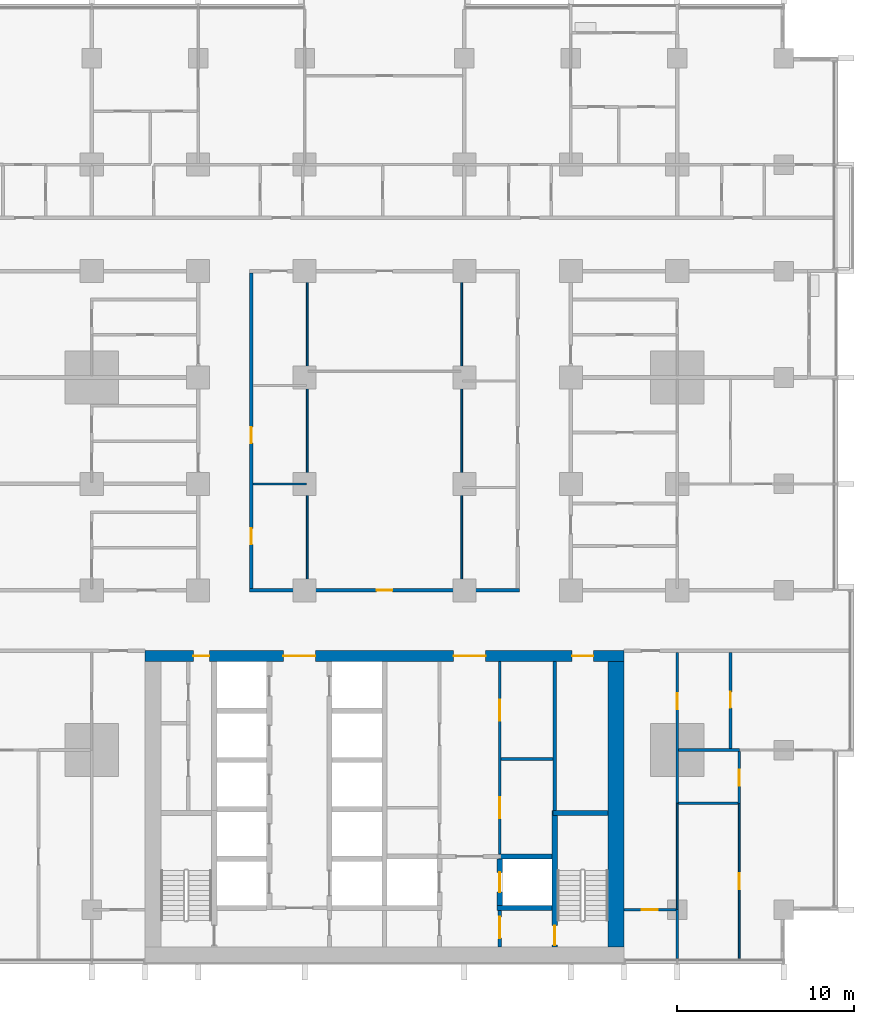
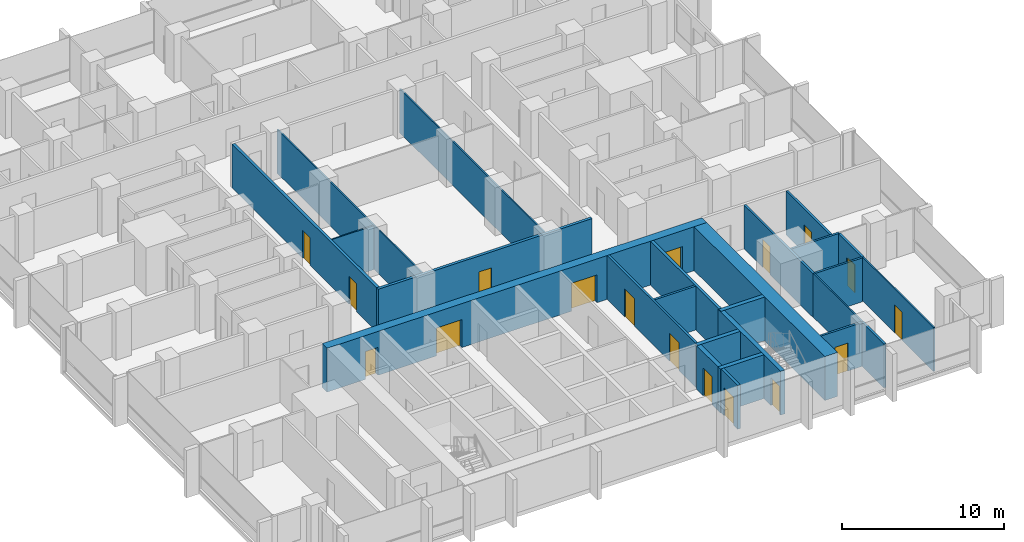
# One storey, part 9 of 18: 25 walls, 17 doors, 17 openings.
"""IFC4 building model written with IfcOpenShell, lengths in metres."""

import ifcopenshell
import ifcopenshell.guid

model = None  # the IFC model being written
_history = None  # IfcOwnerHistory: only IFC2X3 demands one
_inside = {}  # id of a spatial element -> (the spatial element, [elements in it])
_under = {}  # id of a project, library or spatial element -> (it, [spatial elements below it])
_declared = {}  # id of a project -> (the project, [libraries it declares])
_typed = {}  # id of a type object -> (the type object, [elements of that type])
_made_of = {}  # id of a material, layer set ... -> (it, [elements and type objects made of it])


def new_model(schema):
    """Start an empty IFC model of exactly this schema.

    Asked for "IFC4X3", IfcOpenShell would pick the latest addendum, in which some entities
    have other attributes; the version numbers below select the first issue.
    IFC2X3 requires an IfcOwnerHistory on every rooted entity: one is made here for all.
    """
    global model, _history
    if schema == "IFC4X3":
        model = ifcopenshell.file(schema_version=(4, 3, 0, 0))
    else:
        model = ifcopenshell.file(schema=schema)
    _inside.clear()
    _under.clear()
    _declared.clear()
    _typed.clear()
    _made_of.clear()
    _history = None
    if model.schema == "IFC2X3":
        org = make("IfcOrganization", Name="unknown")
        user = make(
            "IfcPersonAndOrganization",
            ThePerson=make("IfcPerson", FamilyName="unknown"),
            TheOrganization=org,
        )
        app = make(
            "IfcApplication",
            ApplicationDeveloper=org,
            Version="unknown",
            ApplicationFullName="unknown",
            ApplicationIdentifier="unknown",
        )
        _history = make(
            "IfcOwnerHistory",
            OwningUser=user,
            OwningApplication=app,
            ChangeAction="ADDED",
            CreationDate=0,
        )
    return model


def make(cls, **values):
    """One entity of the class cls with the attributes given. An attribute that is None is left unset."""
    return model.create_entity(
        cls, **{name: value for name, value in values.items() if value is not None}
    )


def rooted(cls, **values):
    """An entity with a GlobalId (a new one), such as an element, a storey or a relation."""
    return make(cls, GlobalId=ifcopenshell.guid.new(), OwnerHistory=_history, **values)


def si_unit(unit_type, name, prefix=None):
    """IfcSIUnit, for example si_unit("LENGTHUNIT", "METRE", prefix="MILLI")."""
    return make("IfcSIUnit", UnitType=unit_type, Prefix=prefix, Name=name)


def assignment(units):
    """IfcUnitAssignment: the units of a project."""
    return None if units is None else make("IfcUnitAssignment", Units=units)


def point(xyz):
    """IfcCartesianPoint."""
    return None if xyz is None else make("IfcCartesianPoint", Coordinates=xyz)


def direction(xyz):
    """IfcDirection."""
    return None if xyz is None else make("IfcDirection", DirectionRatios=xyz)


def frame(location, z_axis=None, x_axis=None):
    """IfcAxis2Placement3D, a coordinate frame: its origin and axes. An axis left out is left unset."""
    return make(
        "IfcAxis2Placement3D",
        Location=point(location),
        Axis=direction(z_axis),
        RefDirection=direction(x_axis),
    )


def frame_2d(location, x_axis=None):
    """IfcAxis2Placement2D, a coordinate frame in the plane: its origin and x axis."""
    return make(
        "IfcAxis2Placement2D", Location=point(location), RefDirection=direction(x_axis)
    )


def origin():
    """The frame at (0, 0, 0) with its axes left unset."""
    return frame((0.0, 0.0, 0.0))


def place(relative_to, where):
    """IfcLocalPlacement: puts the frame where relative to a parent placement (None: the world)."""
    return make(
        "IfcLocalPlacement", PlacementRelTo=relative_to, RelativePlacement=where
    )


def context(
    kind, dimensions, precision=None, world=None, true_north=None, identifier=None
):
    """IfcGeometricRepresentationContext, for example the 3D "Model" context."""
    return make(
        "IfcGeometricRepresentationContext",
        ContextIdentifier=identifier,
        ContextType=kind,
        CoordinateSpaceDimension=dimensions,
        Precision=precision,
        WorldCoordinateSystem=world,
        TrueNorth=true_north,
    )


def subcontext(parent, identifier, kind, view, scale=None):
    """IfcGeometricRepresentationSubContext, for example "Body" below "Model"."""
    return make(
        "IfcGeometricRepresentationSubContext",
        ContextIdentifier=identifier,
        ContextType=kind,
        ParentContext=parent,
        TargetScale=scale,
        TargetView=view,
    )


def project(units=None, contexts=None):
    """IfcProject with its units and contexts."""
    return rooted(
        "IfcProject",
        Name="project",
        RepresentationContexts=contexts,
        UnitsInContext=assignment(units),
    )


def spatial(cls, under=None, at=None, **own):
    """A site, building, storey or space (cls), placed at a placement, below another one or the project."""
    s = rooted(cls, ObjectPlacement=at, **own)
    if under is not None:
        _under.setdefault(under.id(), (under, []))[1].append(s)
    return s


def profile(cls, at=None, kind="AREA", **sizes):
    """A parametric profile (cls). Its sizes go by their IFC names, for example OverallWidth=200.0."""
    return make(cls, ProfileType=kind, Position=at, **sizes)


def rectangle(**sizes):
    """IfcRectangleProfileDef."""
    return profile("IfcRectangleProfileDef", **sizes)


def extrude(swept, where, along, depth):
    """IfcExtrudedAreaSolid: the profile swept, set in the frame where, extruded along a direction by depth."""
    return make(
        "IfcExtrudedAreaSolid",
        SweptArea=swept,
        Position=where,
        ExtrudedDirection=direction(along),
        Depth=depth,
    )


def shape(context_of_items, identifier, shape_type, items):
    """IfcShapeRepresentation: the items that make up one representation, for example the "Body"."""
    return make(
        "IfcShapeRepresentation",
        ContextOfItems=context_of_items,
        RepresentationIdentifier=identifier,
        RepresentationType=shape_type,
        Items=items,
    )


def material(Name=None, Category=None):
    """IfcMaterial."""
    return make("IfcMaterial", Name=Name, Category=Category)


def layer(
    of_material, thickness, ventilated=None, Name=None, Category=None, Priority=None
):
    """IfcMaterialLayer: one layer of a wall or slab, of a material (None: an air gap)."""
    return make(
        "IfcMaterialLayer",
        Material=of_material,
        LayerThickness=thickness,
        IsVentilated=ventilated,
        Name=Name,
        Category=Category,
        Priority=Priority,
    )


def layer_set(layers, Name=None):
    """IfcMaterialLayerSet."""
    return make("IfcMaterialLayerSet", MaterialLayers=layers, LayerSetName=Name)


def made_of(thing, what):
    """Note that an element or type object is made of a material, layer set ...; save() writes the relation."""
    if what is not None:
        _made_of.setdefault(what.id(), (what, []))[1].append(thing)
    return thing


def type_object(cls, material=None, **own):
    """A type object (cls), such as IfcWallType, which elements share."""
    return made_of(rooted(cls, **own), material)


def element(
    cls,
    number,
    at=None,
    inside=None,
    cuts=None,
    type_object=None,
    material=None,
    context=None,
    identifier="Body",
    shape_type=None,
    held_by="IfcProductDefinitionShape",
    body=None,
    shapes=None,
    **own,
):
    """One element of the class cls, such as IfcWall. Its Tag is "e" and its number.

    at: its placement. inside: the storey or other place that contains it. cuts: it is an
    opening in that element (IfcRelVoidsElement). A single representation is given by context,
    identifier, shape_type and body (its items); several are given by shapes. held_by: the class
    of the entity that holds the representations. save() writes the other relations.
    """
    e = rooted(cls, Tag="e%d" % number, ObjectPlacement=at, **own)
    if body is not None:
        shapes = [shape(context, identifier, shape_type, body)]
    if shapes is not None:
        e.Representation = make(held_by, Representations=shapes)
    if inside is not None:
        _inside.setdefault(inside.id(), (inside, []))[1].append(e)
    if cuts is not None:
        rooted(
            "IfcRelVoidsElement", RelatingBuildingElement=cuts, RelatedOpeningElement=e
        )
    if type_object is not None:
        _typed.setdefault(type_object.id(), (type_object, []))[1].append(e)
    return made_of(e, material)


def fill(opening, filler):
    """IfcRelFillsElement: the door or window that sits in an opening."""
    return rooted(
        "IfcRelFillsElement",
        RelatingOpeningElement=opening,
        RelatedBuildingElement=filler,
    )


def aggregate(whole, parts):
    """IfcRelAggregates: a whole, such as a stair, and the parts it consists of."""
    return rooted("IfcRelAggregates", RelatingObject=whole, RelatedObjects=parts)


def save(model, path):
    """Write the relations noted so far, then the file.

    IfcRelAggregates (storeys below a building ...), IfcRelContainedInSpatialStructure (elements
    in a storey), IfcRelDefinesByType, IfcRelAssociatesMaterial and IfcRelDeclares: one each for
    every whole, place, type object, material and project.
    """
    for whole, parts in _under.values():
        aggregate(whole, parts)
    for where, things in _inside.values():
        rooted(
            "IfcRelContainedInSpatialStructure",
            RelatedElements=things,
            RelatingStructure=where,
        )
    for kind, things in _typed.values():
        rooted("IfcRelDefinesByType", RelatedObjects=things, RelatingType=kind)
    for what, things in _made_of.values():
        rooted("IfcRelAssociatesMaterial", RelatedObjects=things, RelatingMaterial=what)
    for by, libraries in _declared.values():
        rooted("IfcRelDeclares", RelatingContext=by, RelatedDefinitions=libraries)
    model.write(path)


model = new_model("IFC4")

# Units and contexts
model_context = context("Model", 3, precision=1e-05, world=origin(), true_north=direction((0.0, 1.0)))
body_context = subcontext(model_context, "Body", "Model", "MODEL_VIEW")
ifc_project = project(units=[si_unit("LENGTHUNIT", "METRE"), si_unit("AREAUNIT", "SQUARE_METRE"), si_unit("VOLUMEUNIT", "CUBIC_METRE"), si_unit("PLANEANGLEUNIT", "RADIAN"), si_unit("MASSUNIT", "GRAM", prefix="KILO")], contexts=[model_context])

# Site, building, storey
site_placement = place(None, origin())
site = spatial("IfcSite", under=ifc_project, at=site_placement, CompositionType="ELEMENT")
building_placement = place(site_placement, origin())
building = spatial("IfcBuilding", under=site, at=building_placement, Name="Finial Court Residences", CompositionType="ELEMENT")
storey_placement = place(building_placement, frame((0.0, 0.0, 68.5)))
storey = spatial("IfcBuildingStorey", under=building, at=storey_placement, Name="L16", CompositionType="ELEMENT", Elevation=68.5)

# Wall, openings, doors
ifc_material_1 = material(Name="Concrete C80/95", Category="concrete")
ifc_layer_1 = layer(ifc_material_1, 0.60009765625)
ifc_layer_set_1 = layer_set([ifc_layer_1], Name="Core outer wall 600 Concrete C80/95")
wall_type_1 = type_object("IfcWallType", Name="Core outer wall 600 Concrete C80/95", PredefinedType="SHEAR", material=ifc_layer_set_1)
wall_1_placement = place(storey_placement, frame((-13.5, -8.199951171875, 0.0), z_axis=(0.0, 0.0, 1.0), x_axis=(1.0, 0.0, 0.0)))
wall_1 = element("IfcWall", 1, at=wall_1_placement, inside=storey, type_object=wall_type_1, Name="Core outer wall L16-02", PredefinedType="SHEAR", context=body_context, shape_type="SweptSolid", body=[
    extrude(rectangle(XDim=27.0, YDim=0.60009765625, at=frame_2d((13.5, 0.0))), origin(), (0.0, 0.0, 1.0), 3.300048828125),
])
opening_1_placement = place(wall_1_placement, frame((7.800048828125, 0.0, 0.0)))
opening_1 = element("IfcOpeningElement", 2, at=opening_1_placement, cuts=wall_1, Name="Opening L16-C04", PredefinedType="OPENING", context=body_context, shape_type="SweptSolid", body=[
    extrude(rectangle(XDim=1.800048828125, YDim=2.10009765625, at=frame_2d((0.89990234375, 1.050048828125))), frame((0.0, 0.31005859375, 0.0), z_axis=(0.0, -1.0, 0.0), x_axis=(1.0, 0.0, 0.0)), (0.0, 0.0, 1.0), 0.6201171875),
])
opening_2_placement = place(wall_1_placement, frame((17.39990234375, 0.0, 0.0)))
opening_2 = element("IfcOpeningElement", 3, at=opening_2_placement, cuts=wall_1, Name="Opening L16-C05", PredefinedType="OPENING", context=body_context, shape_type="SweptSolid", body=[
    extrude(rectangle(XDim=1.800048828125, YDim=2.10009765625, at=frame_2d((0.89990234375, 1.050048828125))), frame((0.0, 0.31005859375, 0.0), z_axis=(0.0, -1.0, 0.0), x_axis=(1.0, 0.0, 0.0)), (0.0, 0.0, 1.0), 0.6201171875),
])
opening_3_placement = place(wall_1_placement, frame((2.72509765625, 0.0, 0.0)))
opening_3 = element("IfcOpeningElement", 4, at=opening_3_placement, cuts=wall_1, Name="Opening L16-C08", PredefinedType="OPENING", context=body_context, shape_type="SweptSolid", body=[
    extrude(rectangle(XDim=0.89990234375, YDim=2.10009765625, at=frame_2d((0.449951171875, 1.050048828125))), frame((0.0, 0.31005859375, 0.0), z_axis=(0.0, -1.0, 0.0), x_axis=(1.0, 0.0, 0.0)), (0.0, 0.0, 1.0), 0.6201171875),
])
opening_4_placement = place(wall_1_placement, frame((24.074951171875, 0.0, 0.0)))
opening_4 = element("IfcOpeningElement", 5, at=opening_4_placement, cuts=wall_1, Name="Opening L16-C09", PredefinedType="OPENING", context=body_context, shape_type="SweptSolid", body=[
    extrude(rectangle(XDim=1.199951171875, YDim=2.10009765625, at=frame_2d((0.60009765625, 1.050048828125))), frame((0.0, 0.31005859375, 0.0), z_axis=(0.0, -1.0, 0.0), x_axis=(1.0, 0.0, 0.0)), (0.0, 0.0, 1.0), 0.6201171875),
])
ifc_material_2 = material(Name="Steel fire door", Category="steel")
door_type_1 = type_object("IfcDoorType", Name="Lift lobby door 1800 x 2100 EI 60", OperationType="DOUBLE_DOOR_SINGLE_SWING", PredefinedType="DOOR", material=ifc_material_2)
door_1_placement = place(opening_1_placement, origin())
door_1 = element("IfcDoor", 6, at=door_1_placement, inside=storey, type_object=door_type_1, Name="Lift lobby door L16-C04", OperationType="DOUBLE_DOOR_SINGLE_SWING", OverallHeight=2.10009765625, OverallWidth=1.800048828125, PredefinedType="DOOR", context=body_context, shape_type="SweptSolid", body=[
    extrude(rectangle(XDim=1.800048828125, YDim=2.10009765625, at=frame_2d((0.89990234375, 1.050048828125))), frame((0.0, 0.02490234375, 0.0), z_axis=(0.0, -1.0, 0.0), x_axis=(1.0, 0.0, 0.0)), (0.0, 0.0, 1.0), 0.050048828125),
])
fill(opening_1, door_1)
door_2_placement = place(opening_2_placement, origin())
door_2 = element("IfcDoor", 7, at=door_2_placement, inside=storey, type_object=door_type_1, Name="Lift lobby door L16-C05", OperationType="DOUBLE_DOOR_SINGLE_SWING", OverallHeight=2.10009765625, OverallWidth=1.800048828125, PredefinedType="DOOR", context=body_context, shape_type="SweptSolid", body=[
    extrude(rectangle(XDim=1.800048828125, YDim=2.10009765625, at=frame_2d((0.89990234375, 1.050048828125))), frame((0.0, 0.02490234375, 0.0), z_axis=(0.0, -1.0, 0.0), x_axis=(1.0, 0.0, 0.0)), (0.0, 0.0, 1.0), 0.050048828125),
])
fill(opening_2, door_2)
door_type_2 = type_object("IfcDoorType", Name="Riser room door 1200 x 2100 EI 90", OperationType="NOTDEFINED", PredefinedType="DOOR", material=ifc_material_2)
door_3_placement = place(opening_4_placement, origin())
door_3 = element("IfcDoor", 8, at=door_3_placement, inside=storey, type_object=door_type_2, Name="Riser room door L16-C09", OperationType="SINGLE_SWING_RIGHT", OverallHeight=2.10009765625, OverallWidth=1.199951171875, PredefinedType="DOOR", context=body_context, shape_type="SweptSolid", body=[
    extrude(rectangle(XDim=1.199951171875, YDim=2.10009765625, at=frame_2d((0.60009765625, 1.050048828125))), frame((0.0, 0.02490234375, 0.0), z_axis=(0.0, -1.0, 0.0), x_axis=(1.0, 0.0, 0.0)), (0.0, 0.0, 1.0), 0.050048828125),
])
fill(opening_4, door_3)
door_type_3 = type_object("IfcDoorType", Name="Riser room door 900 x 2100 EI 90", OperationType="NOTDEFINED", PredefinedType="DOOR", material=ifc_material_2)
door_4_placement = place(opening_3_placement, origin())
door_4 = element("IfcDoor", 9, at=door_4_placement, inside=storey, type_object=door_type_3, Name="Riser room door L16-C08", OperationType="SINGLE_SWING_RIGHT", OverallHeight=2.10009765625, OverallWidth=0.89990234375, PredefinedType="DOOR", context=body_context, shape_type="SweptSolid", body=[
    extrude(rectangle(XDim=0.89990234375, YDim=2.10009765625, at=frame_2d((0.449951171875, 1.050048828125))), frame((0.0, 0.02490234375, 0.0), z_axis=(0.0, -1.0, 0.0), x_axis=(1.0, 0.0, 0.0)), (0.0, 0.0, 1.0), 0.050048828125),
])
fill(opening_3, door_4)

# Walls
ifc_layer_2 = layer(ifc_material_1, 0.89990234375)
ifc_layer_set_2 = layer_set([ifc_layer_2], Name="Core outer wall 900 Concrete C80/95")
wall_type_2 = type_object("IfcWallType", Name="Core outer wall 900 Concrete C80/95", PredefinedType="SHEAR", material=ifc_layer_set_2)
wall_2_placement = place(storey_placement, frame((13.050048828125, -24.60009765625, 0.0), z_axis=(0.0, 0.0, 1.0), x_axis=(0.0, 1.0, 0.0)))
element("IfcWall", 10, at=wall_2_placement, inside=storey, type_object=wall_type_2, Name="Core outer wall L16-04", PredefinedType="SHEAR", context=body_context, shape_type="SweptSolid", body=[
    extrude(rectangle(XDim=16.10009765625, YDim=0.89990234375, at=frame_2d((8.050048828125, 0.0))), origin(), (0.0, 0.0, 1.0), 3.300048828125),
])
ifc_material_3 = material(Name="Fire-rated gypsum board partition")
ifc_layer_3 = layer(ifc_material_3, 0.14990234375)
ifc_layer_set_3 = layer_set([ifc_layer_3], Name="Core room partition 150 EI 60")
wall_type_3 = type_object("IfcWallType", Name="Core room partition 150 EI 60", PredefinedType="PARTITIONING", material=ifc_layer_set_3)
wall_3_placement = place(storey_placement, frame((6.574951171875, -14.0, 0.0), z_axis=(0.0, 0.0, 1.0), x_axis=(1.0, 0.0, 0.0)))
element("IfcWall", 11, at=wall_3_placement, inside=storey, type_object=wall_type_3, Name="Core partition L16-17", PredefinedType="PARTITIONING", context=body_context, shape_type="SweptSolid", body=[
    extrude(rectangle(XDim=2.925048828125, YDim=0.14990234375, at=frame_2d((1.46240234375, 0.0))), origin(), (0.0, 0.0, 1.0), 3.300048828125),
])

# Wall, openings, doors
wall_4_placement = place(storey_placement, frame((6.5, -8.5, 0.0), z_axis=(0.0, 0.0, 1.0), x_axis=(0.0, -1.0, 0.0)))
wall_4 = element("IfcWall", 12, at=wall_4_placement, inside=storey, type_object=wall_type_3, Name="Core partition L16-35", PredefinedType="PARTITIONING", context=body_context, shape_type="SweptSolid", body=[
    extrude(rectangle(XDim=10.85009765625, YDim=0.14990234375, at=frame_2d((5.425048828125, 0.0))), origin(), (0.0, 0.0, 1.0), 3.300048828125),
])
opening_5_placement = place(wall_4_placement, frame((7.64990234375, 0.0, 0.0)))
opening_5 = element("IfcOpeningElement", 13, at=opening_5_placement, cuts=wall_4, Name="Opening L16-C14", PredefinedType="OPENING", context=body_context, shape_type="SweptSolid", body=[
    extrude(rectangle(XDim=1.199951171875, YDim=2.10009765625, at=frame_2d((0.60009765625, 1.050048828125))), frame((0.0, 0.0849609375, 0.0), z_axis=(0.0, -1.0, 0.0), x_axis=(1.0, 0.0, 0.0)), (0.0, 0.0, 1.0), 0.169921875),
])
opening_6_placement = place(wall_4_placement, frame((2.14990234375, 0.0, 0.0)))
opening_6 = element("IfcOpeningElement", 14, at=opening_6_placement, cuts=wall_4, Name="Opening L16-C15", PredefinedType="OPENING", context=body_context, shape_type="SweptSolid", body=[
    extrude(rectangle(XDim=1.199951171875, YDim=2.10009765625, at=frame_2d((0.60009765625, 1.050048828125))), frame((0.0, 0.0849609375, 0.0), z_axis=(0.0, -1.0, 0.0), x_axis=(1.0, 0.0, 0.0)), (0.0, 0.0, 1.0), 0.169921875),
])
door_type_4 = type_object("IfcDoorType", Name="Core room door 1200 x 2100 EI 60", OperationType="NOTDEFINED", PredefinedType="DOOR", material=ifc_material_2)
door_5_placement = place(opening_5_placement, origin())
door_5 = element("IfcDoor", 15, at=door_5_placement, inside=storey, type_object=door_type_4, Name="Core room door L16-C14", OperationType="SINGLE_SWING_RIGHT", OverallHeight=2.10009765625, OverallWidth=1.199951171875, PredefinedType="DOOR", context=body_context, shape_type="SweptSolid", body=[
    extrude(rectangle(XDim=1.199951171875, YDim=2.10009765625, at=frame_2d((0.60009765625, 1.050048828125))), frame((0.0, 0.02490234375, 0.0), z_axis=(0.0, -1.0, 0.0), x_axis=(1.0, 0.0, 0.0)), (0.0, 0.0, 1.0), 0.050048828125),
])
fill(opening_5, door_5)
door_6_placement = place(opening_6_placement, origin())
door_6 = element("IfcDoor", 16, at=door_6_placement, inside=storey, type_object=door_type_4, Name="Core room door L16-C15", OperationType="SINGLE_SWING_RIGHT", OverallHeight=2.10009765625, OverallWidth=1.199951171875, PredefinedType="DOOR", context=body_context, shape_type="SweptSolid", body=[
    extrude(rectangle(XDim=1.199951171875, YDim=2.10009765625, at=frame_2d((0.60009765625, 1.050048828125))), frame((0.0, 0.02490234375, 0.0), z_axis=(0.0, -1.0, 0.0), x_axis=(1.0, 0.0, 0.0)), (0.0, 0.0, 1.0), 0.050048828125),
])
fill(opening_6, door_6)

# Wall, opening, door
ifc_material_4 = material(Name="Gypsum board")
ifc_layer_4 = layer(ifc_material_4, 0.02490234375)
ifc_material_5 = material(Name="Acoustic mineral wool in double frame")
ifc_layer_5 = layer(ifc_material_5, 0.14990234375)
ifc_layer_6 = layer(ifc_material_4, 0.02490234375)
ifc_layer_set_4 = layer_set([ifc_layer_4, ifc_layer_5, ifc_layer_6], Name="Corridor wall 200, 1 hour")
wall_type_4 = type_object("IfcWallType", Name="Corridor wall 200, 1 hour", PredefinedType="PARTITIONING", material=ifc_layer_set_4)
wall_5_placement = place(storey_placement, frame((-7.60009765625, -4.5, 0.0), z_axis=(0.0, 0.0, 1.0), x_axis=(1.0, 0.0, 0.0)))
wall_5 = element("IfcWall", 17, at=wall_5_placement, inside=storey, type_object=wall_type_4, Name="Partition L16-010", PredefinedType="PARTITIONING", context=body_context, shape_type="SweptSolid", body=[
    extrude(rectangle(XDim=15.2001953125, YDim=0.199951171875, at=frame_2d((7.60009765625, 0.0))), origin(), (0.0, 0.0, 1.0), 3.300048828125),
])
opening_7_placement = place(wall_5_placement, frame((7.14990234375, 0.0, 0.0)))
opening_7 = element("IfcOpeningElement", 18, at=opening_7_placement, cuts=wall_5, Name="Opening L16-D008", PredefinedType="OPENING", context=body_context, shape_type="SweptSolid", body=[
    extrude(rectangle(XDim=0.89990234375, YDim=2.10009765625, at=frame_2d((0.449951171875, 1.050048828125))), frame((0.0, 0.10986328125, 0.0), z_axis=(0.0, -1.0, 0.0), x_axis=(1.0, 0.0, 0.0)), (0.0, 0.0, 1.0), 0.219970703125),
])
ifc_material_6 = material(Name="Timber door leaf in hollow metal frame", Category="wood")
door_type_5 = type_object("IfcDoorType", Name="Fire door set 900 x 2100, 30 minutes", OperationType="SINGLE_SWING_LEFT", PredefinedType="DOOR", material=ifc_material_6)
door_7_placement = place(opening_7_placement, origin())
door_7 = element("IfcDoor", 19, at=door_7_placement, inside=storey, type_object=door_type_5, Name="Door L16-D008", OperationType="SINGLE_SWING_LEFT", OverallHeight=2.10009765625, OverallWidth=0.89990234375, PredefinedType="DOOR", context=body_context, shape_type="SweptSolid", body=[
    extrude(rectangle(XDim=0.89990234375, YDim=2.10009765625, at=frame_2d((0.449951171875, 1.050048828125))), frame((0.0, 0.02490234375, 0.0), z_axis=(0.0, -1.0, 0.0), x_axis=(1.0, 0.0, 0.0)), (0.0, 0.0, 1.0), 0.050048828125),
])
fill(opening_7, door_7)

# Wall, openings, doors
wall_6_placement = place(storey_placement, frame((-7.5, -4.39990234375, 0.0), z_axis=(0.0, 0.0, 1.0), x_axis=(0.0, 1.0, 0.0)))
wall_6 = element("IfcWall", 20, at=wall_6_placement, inside=storey, type_object=wall_type_4, Name="Partition L16-072", PredefinedType="PARTITIONING", context=body_context, shape_type="SweptSolid", body=[
    extrude(rectangle(XDim=17.7998046875, YDim=0.199951171875, at=frame_2d((8.89990234375, 0.0))), origin(), (0.0, 0.0, 1.0), 3.300048828125),
])
opening_8_placement = place(wall_6_placement, frame((2.5, 0.0, 0.0)))
opening_8 = element("IfcOpeningElement", 21, at=opening_8_placement, cuts=wall_6, Name="Opening L16-D044", PredefinedType="OPENING", context=body_context, shape_type="SweptSolid", body=[
    extrude(rectangle(XDim=0.89990234375, YDim=2.10009765625, at=frame_2d((0.449951171875, 1.050048828125))), frame((0.0, 0.10986328125, 0.0), z_axis=(0.0, -1.0, 0.0), x_axis=(1.0, 0.0, 0.0)), (0.0, 0.0, 1.0), 0.219970703125),
])
opening_9_placement = place(wall_6_placement, frame((8.199951171875, 0.0, 0.0)))
opening_9 = element("IfcOpeningElement", 22, at=opening_9_placement, cuts=wall_6, Name="Opening L16-D045", PredefinedType="OPENING", context=body_context, shape_type="SweptSolid", body=[
    extrude(rectangle(XDim=0.89990234375, YDim=2.10009765625, at=frame_2d((0.449951171875, 1.050048828125))), frame((0.0, 0.10986328125, 0.0), z_axis=(0.0, -1.0, 0.0), x_axis=(1.0, 0.0, 0.0)), (0.0, 0.0, 1.0), 0.219970703125),
])
door_8_placement = place(opening_8_placement, origin())
door_8 = element("IfcDoor", 23, at=door_8_placement, inside=storey, type_object=door_type_5, Name="Door L16-D044", OperationType="SINGLE_SWING_LEFT", OverallHeight=2.10009765625, OverallWidth=0.89990234375, PredefinedType="DOOR", context=body_context, shape_type="SweptSolid", body=[
    extrude(rectangle(XDim=0.89990234375, YDim=2.10009765625, at=frame_2d((0.449951171875, 1.050048828125))), frame((0.0, 0.02490234375, 0.0), z_axis=(0.0, -1.0, 0.0), x_axis=(1.0, 0.0, 0.0)), (0.0, 0.0, 1.0), 0.050048828125),
])
fill(opening_8, door_8)
door_9_placement = place(opening_9_placement, origin())
door_9 = element("IfcDoor", 24, at=door_9_placement, inside=storey, type_object=door_type_5, Name="Door L16-D045", OperationType="SINGLE_SWING_LEFT", OverallHeight=2.10009765625, OverallWidth=0.89990234375, PredefinedType="DOOR", context=body_context, shape_type="SweptSolid", body=[
    extrude(rectangle(XDim=0.89990234375, YDim=2.10009765625, at=frame_2d((0.449951171875, 1.050048828125))), frame((0.0, 0.02490234375, 0.0), z_axis=(0.0, -1.0, 0.0), x_axis=(1.0, 0.0, 0.0)), (0.0, 0.0, 1.0), 0.050048828125),
])
fill(opening_9, door_9)

# Wall, opening, door
ifc_layer_7 = layer(ifc_material_3, 0.199951171875)
ifc_layer_set_5 = layer_set([ifc_layer_7], Name="Firefighting lobby wall 200 EI 120")
wall_type_5 = type_object("IfcWallType", Name="Firefighting lobby wall 200 EI 120", PredefinedType="PARTITIONING", material=ifc_layer_set_5)
wall_7_placement = place(storey_placement, frame((6.5, -22.550048828125, 0.0), z_axis=(0.0, 0.0, 1.0), x_axis=(0.0, -1.0, 0.0)))
wall_7 = element("IfcWall", 25, at=wall_7_placement, inside=storey, type_object=wall_type_5, Name="Core partition L16-33", PredefinedType="PARTITIONING", context=body_context, shape_type="SweptSolid", body=[
    extrude(rectangle(XDim=2.050048828125, YDim=0.199951171875, at=frame_2d((1.02490234375, 0.0))), origin(), (0.0, 0.0, 1.0), 3.300048828125),
])
opening_10_placement = place(wall_7_placement, frame((0.35009765625, 0.0, 0.0)))
opening_10 = element("IfcOpeningElement", 26, at=opening_10_placement, cuts=wall_7, Name="Opening L16-C01", PredefinedType="OPENING", context=body_context, shape_type="SweptSolid", body=[
    extrude(rectangle(XDim=1.199951171875, YDim=2.10009765625, at=frame_2d((0.60009765625, 1.050048828125))), frame((0.0, 0.10986328125, 0.0), z_axis=(0.0, -1.0, 0.0), x_axis=(1.0, 0.0, 0.0)), (0.0, 0.0, 1.0), 0.219970703125),
])
door_type_6 = type_object("IfcDoorType", Name="Firefighting lobby door 1200 x 2100 EI 90", OperationType="NOTDEFINED", PredefinedType="DOOR", material=ifc_material_2)
door_10_placement = place(opening_10_placement, origin())
door_10 = element("IfcDoor", 27, at=door_10_placement, inside=storey, type_object=door_type_6, Name="Firefighting lobby door L16-C01", OperationType="SINGLE_SWING_RIGHT", OverallHeight=2.10009765625, OverallWidth=1.199951171875, PredefinedType="DOOR", context=body_context, shape_type="SweptSolid", body=[
    extrude(rectangle(XDim=1.199951171875, YDim=2.10009765625, at=frame_2d((0.60009765625, 1.050048828125))), frame((0.0, 0.02490234375, 0.0), z_axis=(0.0, -1.0, 0.0), x_axis=(1.0, 0.0, 0.0)), (0.0, 0.0, 1.0), 0.050048828125),
])
fill(opening_10, door_10)

# Walls
ifc_layer_8 = layer(ifc_material_4, 0.012451171875)
ifc_material_7 = material(Name="Mineral wool in light-gauge frame")
ifc_layer_9 = layer(ifc_material_7, 0.074951171875)
ifc_layer_10 = layer(ifc_material_4, 0.012451171875)
ifc_layer_set_6 = layer_set([ifc_layer_8, ifc_layer_9, ifc_layer_10], Name="Gypsum board partition 100")
wall_type_6 = type_object("IfcWallType", Name="Gypsum board partition 100", PredefinedType="PARTITIONING", material=ifc_layer_set_6)
wall_8_placement = place(storey_placement, frame((-7.39990234375, 1.5, 0.0), z_axis=(0.0, 0.0, 1.0), x_axis=(1.0, 0.0, 0.0)))
element("IfcWall", 28, at=wall_8_placement, inside=storey, type_object=wall_type_6, Name="Partition L16-017", PredefinedType="PARTITIONING", context=body_context, shape_type="SweptSolid", body=[
    extrude(rectangle(XDim=3.0, YDim=0.10009765625, at=frame_2d((1.5, 0.0))), origin(), (0.0, 0.0, 1.0), 3.300048828125),
])
for number, where, z_axis, x_axis, name in (
    (29, (-4.35009765625, -4.39990234375, 0.0), (0.0, 0.0, 1.0), (0.0, 1.0, 0.0), "Partition L16-076"),
    (30, (4.35009765625, -4.39990234375, 0.0), (0.0, 0.0, 1.0), (0.0, 1.0, 0.0), "Partition L16-078"),
):
    element("IfcWall", number, at=place(storey_placement, frame(where, z_axis=z_axis, x_axis=x_axis)), inside=storey, type_object=wall_type_6, Name=name, PredefinedType="PARTITIONING", context=body_context, shape_type="SweptSolid", body=[
        extrude(rectangle(XDim=17.7998046875, YDim=0.10009765625, at=frame_2d((8.89990234375, 0.0))), origin(), (0.0, 0.0, 1.0), 3.300048828125),
    ])
wall_9_placement = place(storey_placement, frame((16.5, -22.5, 0.0), z_axis=(0.0, 0.0, 1.0), x_axis=(0.0, 1.0, 0.0)))
element("IfcWall", 31, at=wall_9_placement, inside=storey, type_object=wall_type_6, Name="Partition L16-088", PredefinedType="PARTITIONING", context=body_context, shape_type="SweptSolid", body=[
    extrude(rectangle(XDim=6.0, YDim=0.10009765625, at=frame_2d((3.0, 0.0))), origin(), (0.0, 0.0, 1.0), 3.300048828125),
])

# Wall, opening, door
wall_10_placement = place(storey_placement, frame((20.0, -25.25, 0.0), z_axis=(0.0, 0.0, 1.0), x_axis=(0.0, 1.0, 0.0)))
wall_10 = element("IfcWall", 32, at=wall_10_placement, inside=storey, type_object=wall_type_6, Name="Partition L16-102", PredefinedType="PARTITIONING", context=body_context, shape_type="SweptSolid", body=[
    extrude(rectangle(XDim=8.75, YDim=0.10009765625, at=frame_2d((4.375, 0.0))), origin(), (0.0, 0.0, 1.0), 3.300048828125),
])
opening_11_placement = place(wall_10_placement, frame((3.89990234375, 0.0, 0.0)))
opening_11 = element("IfcOpeningElement", 33, at=opening_11_placement, cuts=wall_10, Name="Opening L16-D064", PredefinedType="OPENING", context=body_context, shape_type="SweptSolid", body=[
    extrude(rectangle(XDim=0.89990234375, YDim=2.10009765625, at=frame_2d((0.449951171875, 1.050048828125))), frame((0.0, 0.06005859375, 0.0), z_axis=(0.0, -1.0, 0.0), x_axis=(1.0, 0.0, 0.0)), (0.0, 0.0, 1.0), 0.1201171875),
])
ifc_material_8 = material(Name="Timber door leaf in timber frame", Category="wood")
door_type_7 = type_object("IfcDoorType", Name="Door set 900 x 2100", OperationType="SINGLE_SWING_LEFT", PredefinedType="DOOR", material=ifc_material_8)
door_11_placement = place(opening_11_placement, origin())
door_11 = element("IfcDoor", 34, at=door_11_placement, inside=storey, type_object=door_type_7, Name="Door L16-D064", OperationType="SINGLE_SWING_RIGHT", OverallHeight=2.10009765625, OverallWidth=0.89990234375, PredefinedType="DOOR", context=body_context, shape_type="SweptSolid", body=[
    extrude(rectangle(XDim=0.89990234375, YDim=2.10009765625, at=frame_2d((0.449951171875, 1.050048828125))), frame((0.0, 0.02490234375, 0.0), z_axis=(0.0, -1.0, 0.0), x_axis=(1.0, 0.0, 0.0)), (0.0, 0.0, 1.0), 0.050048828125),
])
fill(opening_11, door_11)

ifc_material_9 = material(Name="Moisture-resistant gypsum board")
ifc_layer_11 = layer(ifc_material_9, 0.012451171875)
ifc_layer_12 = layer(ifc_material_7, 0.125)
ifc_layer_13 = layer(ifc_material_9, 0.012451171875)
ifc_layer_set_7 = layer_set([ifc_layer_11, ifc_layer_12, ifc_layer_13], Name="Gypsum board wet-area partition 150")
wall_type_7 = type_object("IfcWallType", Name="Gypsum board wet-area partition 150", PredefinedType="PARTITIONING", material=ifc_layer_set_7)
wall_11_placement = place(storey_placement, frame((13.5, -22.5, 0.0), z_axis=(0.0, 0.0, 1.0), x_axis=(1.0, 0.0, 0.0)))
wall_11 = element("IfcWall", 35, at=wall_11_placement, inside=storey, type_object=wall_type_7, Name="Partition L16-001", PredefinedType="PARTITIONING", context=body_context, shape_type="SweptSolid", body=[
    extrude(rectangle(XDim=2.925048828125, YDim=0.14990234375, at=frame_2d((1.46240234375, 0.0))), origin(), (0.0, 0.0, 1.0), 3.300048828125),
])
opening_12_placement = place(wall_11_placement, frame((1.0, 0.0, 0.0)))
opening_12 = element("IfcOpeningElement", 36, at=opening_12_placement, cuts=wall_11, Name="Opening L16-D002", PredefinedType="OPENING", context=body_context, shape_type="SweptSolid", body=[
    extrude(rectangle(XDim=0.89990234375, YDim=2.10009765625, at=frame_2d((0.449951171875, 1.050048828125))), frame((0.0, 0.0849609375, 0.0), z_axis=(0.0, -1.0, 0.0), x_axis=(1.0, 0.0, 0.0)), (0.0, 0.0, 1.0), 0.169921875),
])
door_12_placement = place(opening_12_placement, origin())
door_12 = element("IfcDoor", 37, at=door_12_placement, inside=storey, type_object=door_type_7, Name="Door L16-D002", OperationType="SINGLE_SWING_LEFT", OverallHeight=2.10009765625, OverallWidth=0.89990234375, PredefinedType="DOOR", context=body_context, shape_type="SweptSolid", body=[
    extrude(rectangle(XDim=0.89990234375, YDim=2.10009765625, at=frame_2d((0.449951171875, 1.050048828125))), frame((0.0, 0.02490234375, 0.0), z_axis=(0.0, -1.0, 0.0), x_axis=(1.0, 0.0, 0.0)), (0.0, 0.0, 1.0), 0.050048828125),
])
fill(opening_12, door_12)

# Walls
wall_12_placement = place(storey_placement, frame((16.574951171875, -16.5, 0.0), z_axis=(0.0, 0.0, 1.0), x_axis=(1.0, 0.0, 0.0)))
element("IfcWall", 38, at=wall_12_placement, inside=storey, type_object=wall_type_7, Name="Partition L16-002", PredefinedType="PARTITIONING", context=body_context, shape_type="SweptSolid", body=[
    extrude(rectangle(XDim=3.35009765625, YDim=0.14990234375, at=frame_2d((1.675048828125, 0.0))), origin(), (0.0, 0.0, 1.0), 3.300048828125),
])
wall_13_placement = place(storey_placement, frame((16.574951171875, -13.5, 0.0), z_axis=(0.0, 0.0, 1.0), x_axis=(1.0, 0.0, 0.0)))
element("IfcWall", 39, at=wall_13_placement, inside=storey, type_object=wall_type_7, Name="Partition L16-006", PredefinedType="PARTITIONING", context=body_context, shape_type="SweptSolid", body=[
    extrude(rectangle(XDim=3.425048828125, YDim=0.14990234375, at=frame_2d((1.71240234375, 0.0))), origin(), (0.0, 0.0, 1.0), 3.300048828125),
])
wall_14_placement = place(storey_placement, frame((16.5, -25.25, 0.0), z_axis=(0.0, 0.0, 1.0), x_axis=(0.0, 1.0, 0.0)))
element("IfcWall", 40, at=wall_14_placement, inside=storey, type_object=wall_type_7, Name="Partition L16-094", PredefinedType="PARTITIONING", context=body_context, shape_type="SweptSolid", body=[
    extrude(rectangle(XDim=2.75, YDim=0.14990234375, at=frame_2d((1.375, 0.0))), origin(), (0.0, 0.0, 1.0), 3.300048828125),
])

# Wall, opening, door
wall_15_placement = place(storey_placement, frame((16.5, -16.5, 0.0), z_axis=(0.0, 0.0, 1.0), x_axis=(0.0, 1.0, 0.0)))
wall_15 = element("IfcWall", 41, at=wall_15_placement, inside=storey, type_object=wall_type_7, Name="Partition L16-095", PredefinedType="PARTITIONING", context=body_context, shape_type="SweptSolid", body=[
    extrude(rectangle(XDim=8.5, YDim=0.14990234375, at=frame_2d((4.25, 0.0))), origin(), (0.0, 0.0, 1.0), 3.300048828125),
])
opening_13_placement = place(wall_15_placement, frame((5.300048828125, 0.0, 0.0)))
opening_13 = element("IfcOpeningElement", 42, at=opening_13_placement, cuts=wall_15, Name="Opening L16-D059", PredefinedType="OPENING", context=body_context, shape_type="SweptSolid", body=[
    extrude(rectangle(XDim=0.89990234375, YDim=2.10009765625, at=frame_2d((0.449951171875, 1.050048828125))), frame((0.0, 0.0849609375, 0.0), z_axis=(0.0, -1.0, 0.0), x_axis=(1.0, 0.0, 0.0)), (0.0, 0.0, 1.0), 0.169921875),
])
door_13_placement = place(opening_13_placement, origin())
door_13 = element("IfcDoor", 43, at=door_13_placement, inside=storey, type_object=door_type_7, Name="Door L16-D059", OperationType="SINGLE_SWING_RIGHT", OverallHeight=2.10009765625, OverallWidth=0.89990234375, PredefinedType="DOOR", context=body_context, shape_type="SweptSolid", body=[
    extrude(rectangle(XDim=0.89990234375, YDim=2.10009765625, at=frame_2d((0.449951171875, 1.050048828125))), frame((0.0, 0.02490234375, 0.0), z_axis=(0.0, -1.0, 0.0), x_axis=(1.0, 0.0, 0.0)), (0.0, 0.0, 1.0), 0.050048828125),
])
fill(opening_13, door_13)

wall_16_placement = place(storey_placement, frame((19.5, -13.425048828125, 0.0), z_axis=(0.0, 0.0, 1.0), x_axis=(0.0, 1.0, 0.0)))
wall_16 = element("IfcWall", 44, at=wall_16_placement, inside=storey, type_object=wall_type_7, Name="Partition L16-101", PredefinedType="PARTITIONING", context=body_context, shape_type="SweptSolid", body=[
    extrude(rectangle(XDim=5.425048828125, YDim=0.14990234375, at=frame_2d((2.71240234375, 0.0))), origin(), (0.0, 0.0, 1.0), 3.300048828125),
])
opening_14_placement = place(wall_16_placement, frame((2.300048828125, 0.0, 0.0)))
opening_14 = element("IfcOpeningElement", 45, at=opening_14_placement, cuts=wall_16, Name="Opening L16-D063", PredefinedType="OPENING", context=body_context, shape_type="SweptSolid", body=[
    extrude(rectangle(XDim=0.89990234375, YDim=2.10009765625, at=frame_2d((0.449951171875, 1.050048828125))), frame((0.0, 0.0849609375, 0.0), z_axis=(0.0, -1.0, 0.0), x_axis=(1.0, 0.0, 0.0)), (0.0, 0.0, 1.0), 0.169921875),
])
door_14_placement = place(opening_14_placement, origin())
door_14 = element("IfcDoor", 46, at=door_14_placement, inside=storey, type_object=door_type_7, Name="Door L16-D063", OperationType="SINGLE_SWING_LEFT", OverallHeight=2.10009765625, OverallWidth=0.89990234375, PredefinedType="DOOR", context=body_context, shape_type="SweptSolid", body=[
    extrude(rectangle(XDim=0.89990234375, YDim=2.10009765625, at=frame_2d((0.449951171875, 1.050048828125))), frame((0.0, 0.02490234375, 0.0), z_axis=(0.0, -1.0, 0.0), x_axis=(1.0, 0.0, 0.0)), (0.0, 0.0, 1.0), 0.050048828125),
])
fill(opening_14, door_14)

wall_17_placement = place(storey_placement, frame((20.0, -16.5, 0.0), z_axis=(0.0, 0.0, 1.0), x_axis=(0.0, 1.0, 0.0)))
wall_17 = element("IfcWall", 47, at=wall_17_placement, inside=storey, type_object=wall_type_7, Name="Partition L16-103", PredefinedType="PARTITIONING", context=body_context, shape_type="SweptSolid", body=[
    extrude(rectangle(XDim=2.925048828125, YDim=0.14990234375, at=frame_2d((1.46240234375, 0.0))), origin(), (0.0, 0.0, 1.0), 3.300048828125),
])
opening_15_placement = place(wall_17_placement, frame((1.0, 0.0, 0.0)))
opening_15 = element("IfcOpeningElement", 48, at=opening_15_placement, cuts=wall_17, Name="Opening L16-D065", PredefinedType="OPENING", context=body_context, shape_type="SweptSolid", body=[
    extrude(rectangle(XDim=0.89990234375, YDim=2.10009765625, at=frame_2d((0.449951171875, 1.050048828125))), frame((0.0, 0.0849609375, 0.0), z_axis=(0.0, -1.0, 0.0), x_axis=(1.0, 0.0, 0.0)), (0.0, 0.0, 1.0), 0.169921875),
])
door_15_placement = place(opening_15_placement, origin())
door_15 = element("IfcDoor", 49, at=door_15_placement, inside=storey, type_object=door_type_7, Name="Door L16-D065", OperationType="SINGLE_SWING_RIGHT", OverallHeight=2.10009765625, OverallWidth=0.89990234375, PredefinedType="DOOR", context=body_context, shape_type="SweptSolid", body=[
    extrude(rectangle(XDim=0.89990234375, YDim=2.10009765625, at=frame_2d((0.449951171875, 1.050048828125))), frame((0.0, 0.02490234375, 0.0), z_axis=(0.0, -1.0, 0.0), x_axis=(1.0, 0.0, 0.0)), (0.0, 0.0, 1.0), 0.050048828125),
])
fill(opening_15, door_15)

# Walls
ifc_layer_14 = layer(ifc_material_1, 0.300048828125)
ifc_layer_set_8 = layer_set([ifc_layer_14], Name="Lift shaft and stair wall 300 Concrete C80/95")
wall_type_8 = type_object("IfcWallType", Name="Lift shaft and stair wall 300 Concrete C80/95", PredefinedType="SHEAR", material=ifc_layer_set_8)
wall_18_placement = place(storey_placement, frame((6.35009765625, -22.39990234375, 0.0), z_axis=(0.0, 0.0, 1.0), x_axis=(1.0, 0.0, 0.0)))
element("IfcWall", 50, at=wall_18_placement, inside=storey, type_object=wall_type_8, Name="Core wall L16-04", PredefinedType="SHEAR", context=body_context, shape_type="SweptSolid", body=[
    extrude(rectangle(XDim=3.099853515625, YDim=0.300048828125, at=frame_2d((1.5498046875, 0.0))), origin(), (0.0, 0.0, 1.0), 3.300048828125),
])
wall_19_placement = place(storey_placement, frame((6.425048828125, -19.5, 0.0), z_axis=(0.0, 0.0, 1.0), x_axis=(1.0, 0.0, 0.0)))
element("IfcWall", 51, at=wall_19_placement, inside=storey, type_object=wall_type_8, Name="Core wall L16-09", PredefinedType="SHEAR", context=body_context, shape_type="SweptSolid", body=[
    extrude(rectangle(XDim=3.02490234375, YDim=0.300048828125, at=frame_2d((1.512451171875, 0.0))), origin(), (0.0, 0.0, 1.0), 3.300048828125),
])
wall_20_placement = place(storey_placement, frame((9.5, -17.050048828125, 0.0), z_axis=(0.0, 0.0, 1.0), x_axis=(1.0, 0.0, 0.0)))
element("IfcWall", 52, at=wall_20_placement, inside=storey, type_object=wall_type_8, Name="Core wall L16-11", PredefinedType="SHEAR", context=body_context, shape_type="SweptSolid", body=[
    extrude(rectangle(XDim=3.10009765625, YDim=0.300048828125, at=frame_2d((1.550048828125, 0.0))), origin(), (0.0, 0.0, 1.0), 3.300048828125),
])

# Wall, opening, door
wall_21_placement = place(storey_placement, frame((6.5, -22.25, 0.0), z_axis=(0.0, 0.0, 1.0), x_axis=(0.0, 1.0, 0.0)))
wall_21 = element("IfcWall", 53, at=wall_21_placement, inside=storey, type_object=wall_type_8, Name="Core wall L16-34", PredefinedType="SHEAR", context=body_context, shape_type="SweptSolid", body=[
    extrude(rectangle(XDim=2.60009765625, YDim=0.300048828125, at=frame_2d((1.300048828125, 0.0))), origin(), (0.0, 0.0, 1.0), 3.300048828125),
])
opening_16_placement = place(wall_21_placement, frame((0.75, 0.0, 0.0)))
opening_16 = element("IfcOpeningElement", 54, at=opening_16_placement, cuts=wall_21, Name="Opening L16-LD02", PredefinedType="OPENING", context=body_context, shape_type="SweptSolid", body=[
    extrude(rectangle(XDim=1.10009765625, YDim=2.10009765625, at=frame_2d((0.550048828125, 1.050048828125))), frame((0.0, 0.159912109375, 0.0), z_axis=(0.0, -1.0, 0.0), x_axis=(1.0, 0.0, 0.0)), (0.0, 0.0, 1.0), 0.320068359375),
])
ifc_material_10 = material(Name="Stainless steel lift door", Category="steel")
door_type_8 = type_object("IfcDoorType", Name="Lift landing door 1100 x 2100 EI 90", OperationType="DOUBLE_DOOR_SLIDING", PredefinedType="DOOR", material=ifc_material_10)
door_16_placement = place(opening_16_placement, origin())
door_16 = element("IfcDoor", 55, at=door_16_placement, inside=storey, type_object=door_type_8, Name="Lift landing door FF2 L16", OperationType="DOUBLE_DOOR_SLIDING", OverallHeight=2.10009765625, OverallWidth=1.10009765625, PredefinedType="DOOR", context=body_context, shape_type="SweptSolid", body=[
    extrude(rectangle(XDim=1.10009765625, YDim=2.10009765625, at=frame_2d((0.550048828125, 1.050048828125))), frame((0.0, 0.02490234375, 0.0), z_axis=(0.0, -1.0, 0.0), x_axis=(1.0, 0.0, 0.0)), (0.0, 0.0, 1.0), 0.050048828125),
])
fill(opening_16, door_16)

wall_22_placement = place(storey_placement, frame((9.60009765625, -16.89990234375, 0.0), z_axis=(0.0, 0.0, 1.0), x_axis=(0.0, -1.0, 0.0)))
wall_22 = element("IfcWall", 56, at=wall_22_placement, inside=storey, type_object=wall_type_8, Name="Core wall L16-36", PredefinedType="SHEAR", context=body_context, shape_type="SweptSolid", body=[
    extrude(rectangle(XDim=7.7001953125, YDim=0.300048828125, at=frame_2d((3.85009765625, 0.0))), origin(), (0.0, 0.0, 1.0), 3.300048828125),
])
opening_17_placement = place(wall_22_placement, frame((6.5, 0.0, 0.0)))
opening_17 = element("IfcOpeningElement", 57, at=opening_17_placement, cuts=wall_22, Name="Opening L16-C17", PredefinedType="OPENING", context=body_context, shape_type="SweptSolid", body=[
    extrude(rectangle(XDim=1.10009765625, YDim=2.10009765625, at=frame_2d((0.550048828125, 1.050048828125))), frame((0.0, 0.159912109375, 0.0), z_axis=(0.0, -1.0, 0.0), x_axis=(1.0, 0.0, 0.0)), (0.0, 0.0, 1.0), 0.320068359375),
])
door_type_9 = type_object("IfcDoorType", Name="Stair door 1100 x 2100 EI 90", OperationType="NOTDEFINED", PredefinedType="DOOR", material=ifc_material_2)
door_17_placement = place(opening_17_placement, origin())
door_17 = element("IfcDoor", 58, at=door_17_placement, inside=storey, type_object=door_type_9, Name="Stair door L16-C17", OperationType="SINGLE_SWING_RIGHT", OverallHeight=2.10009765625, OverallWidth=1.10009765625, PredefinedType="DOOR", context=body_context, shape_type="SweptSolid", body=[
    extrude(rectangle(XDim=1.10009765625, YDim=2.10009765625, at=frame_2d((0.550048828125, 1.050048828125))), frame((0.0, 0.02490234375, 0.0), z_axis=(0.0, -1.0, 0.0), x_axis=(1.0, 0.0, 0.0)), (0.0, 0.0, 1.0), 0.050048828125),
])
fill(opening_17, door_17)

# Wall
ifc_layer_15 = layer(ifc_material_3, 0.199951171875)
ifc_layer_set_9 = layer_set([ifc_layer_15], Name="Riser room wall 200 EI 120")
wall_type_9 = type_object("IfcWallType", Name="Riser room wall 200 EI 120", PredefinedType="PARTITIONING", material=ifc_layer_set_9)
wall_23_placement = place(storey_placement, frame((9.60009765625, -16.89990234375, 0.0), z_axis=(0.0, 0.0, 1.0), x_axis=(0.0, 1.0, 0.0)))
element("IfcWall", 59, at=wall_23_placement, inside=storey, type_object=wall_type_9, Name="Core partition L16-37", PredefinedType="PARTITIONING", context=body_context, shape_type="SweptSolid", body=[
    extrude(rectangle(XDim=8.39990234375, YDim=0.199951171875, at=frame_2d((4.199951171875, 0.0))), origin(), (0.0, 0.0, 1.0), 3.300048828125),
])

save(model, "model.ifc")
